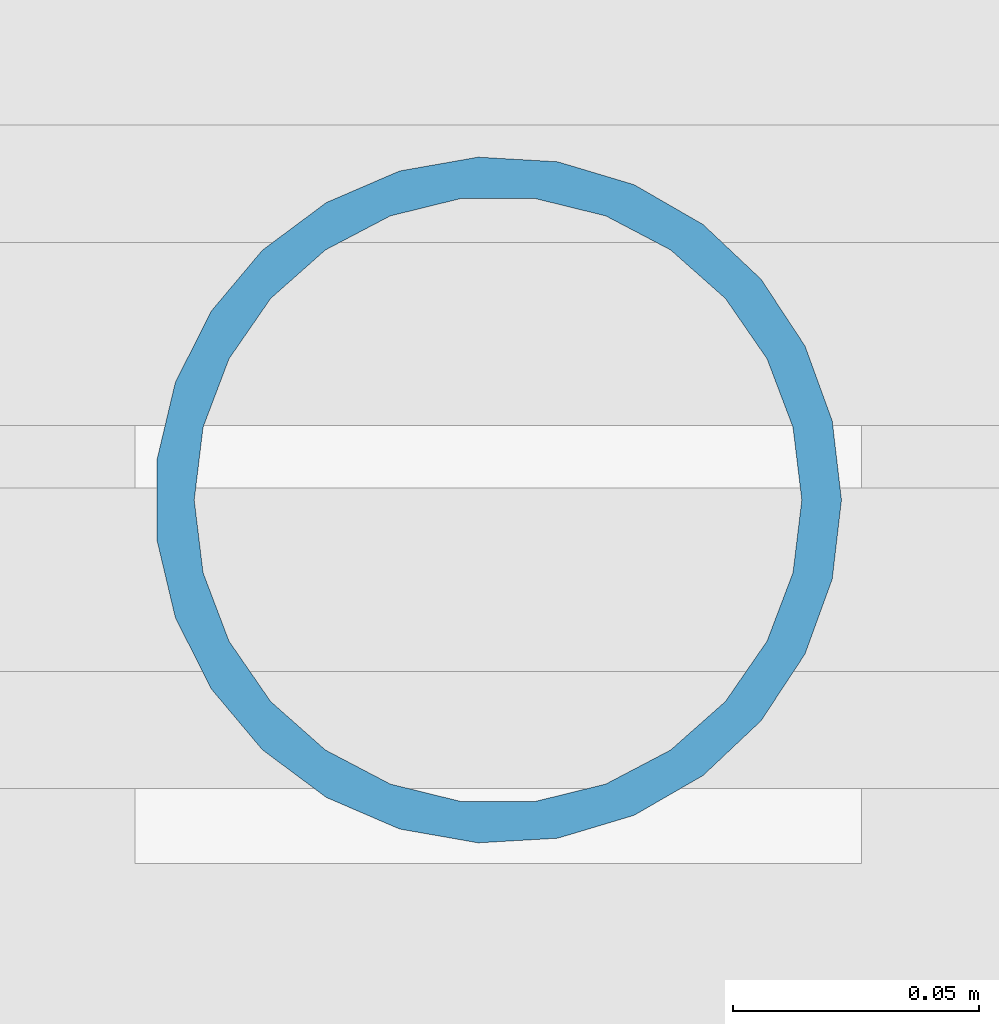
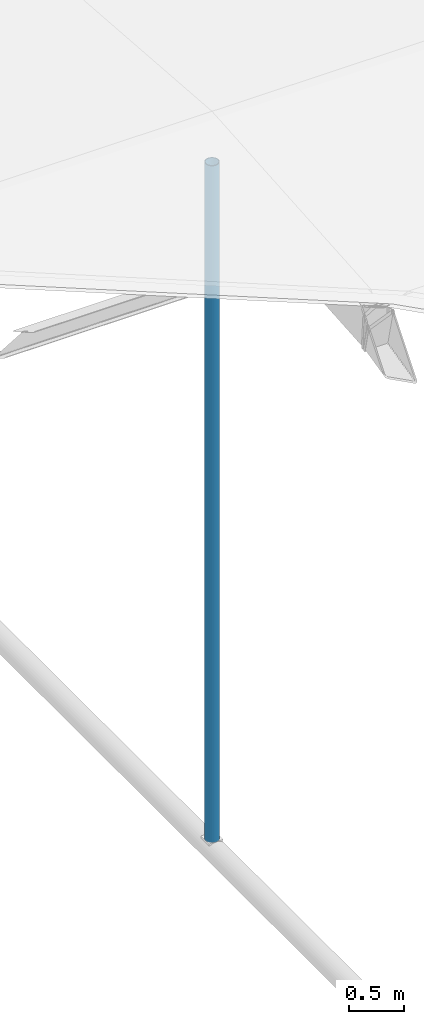
# One storey, part 14 of 77: 1 member.
"""IFC4 building model written with IfcOpenShell, lengths in metres."""

from ifc_helpers import new_model, si_unit, direction, frame, origin, origin_2d, place, context, subcontext, project, spatial, hollow_circle, extrude, material, material_profile, profile_set, type_object, element, save


model = new_model("IFC4")

# Units and contexts
model_context = context("Model", 3, precision=1e-05, world=origin(), true_north=direction((0.0, 1.0)))
body_context = subcontext(model_context, "Body", "Model", "MODEL_VIEW")
ifc_project = project(units=[si_unit("LENGTHUNIT", "METRE"), si_unit("AREAUNIT", "SQUARE_METRE"), si_unit("VOLUMEUNIT", "CUBIC_METRE"), si_unit("PLANEANGLEUNIT", "RADIAN"), si_unit("MASSUNIT", "GRAM", prefix="KILO")], contexts=[model_context])

# Site, building, storey
site_placement = place(None, origin())
site = spatial("IfcSite", under=ifc_project, at=site_placement, CompositionType="ELEMENT")
building_placement = place(site_placement, origin())
building = spatial("IfcBuilding", under=site, at=building_placement, Name="Yukiwa Park Conservatory and Herbarium", CompositionType="ELEMENT")
storey_placement = place(building_placement, frame((0.0, 0.0, 13.199951171875)))
storey = spatial("IfcBuildingStorey", under=building, at=storey_placement, Name="L03", CompositionType="ELEMENT", Elevation=13.199951171875)

# Member
ifc_material = material(Name="Steel Q355D", Category="steel")
ifc_material_profile = material_profile(ifc_material, hollow_circle(Radius=0.06982421875, WallThickness=0.008056640625, at=origin_2d()), Name="CHS 139.7x8")
ifc_profile_set = profile_set([ifc_material_profile], Name="Steel Q355D")
member_type = type_object("IfcMemberType", Name="MB-VLT-STRUT140", PredefinedType="STRUT", material=ifc_profile_set)
member_placement = place(storey_placement, frame((30.0, 15.60009765625, -4.095947265625), z_axis=(0.0, 0.0, 1.0), x_axis=(1.0, 0.0, 0.0)))
element("IfcMember", 1, at=member_placement, inside=storey, type_object=member_type, Name="Conservatory vault bowstring hanger 5.6", PredefinedType="STRUT", context=body_context, shape_type="SweptSolid", body=[
    extrude(hollow_circle(Radius=0.06982421875, WallThickness=0.008056640625, at=origin_2d()), origin(), (0.0, 0.0, 1.0), 7.48095703125),
])

save(model, "model.ifc")
